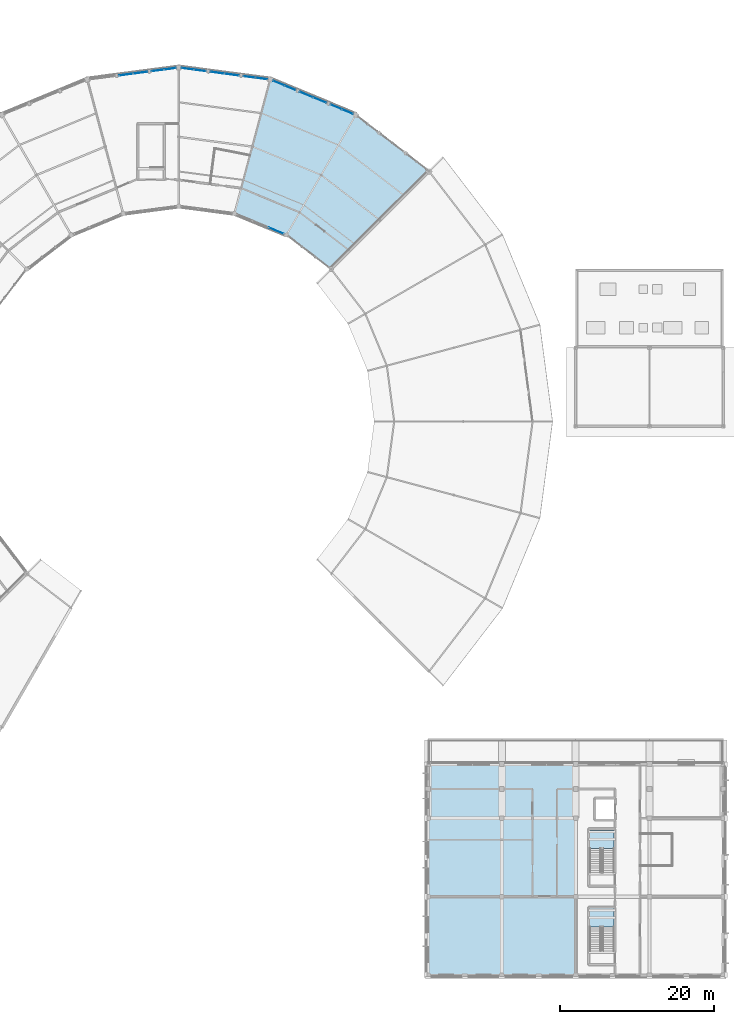
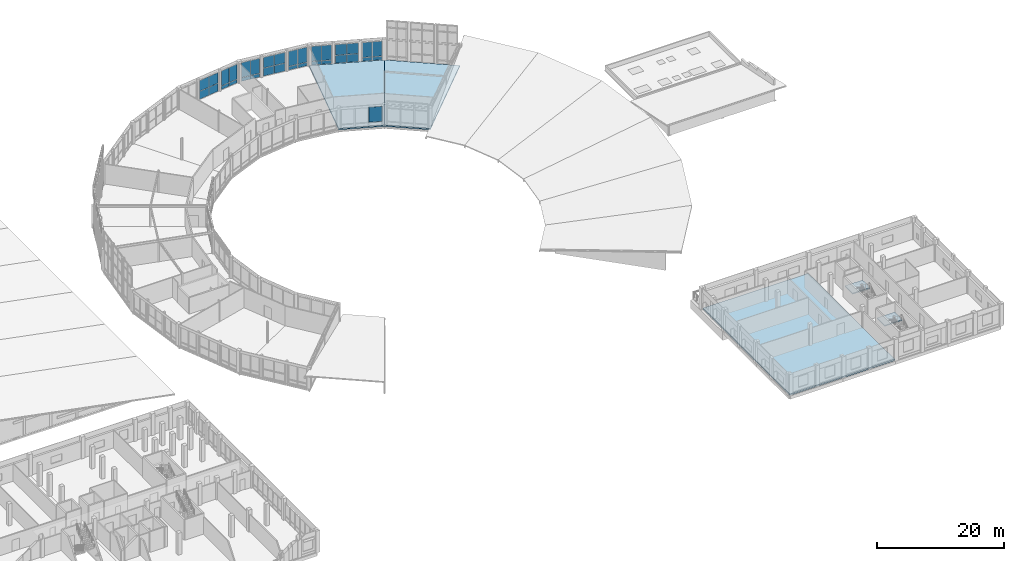
# One storey, part 140 of 200: 33 plates, 5 slabs, 11 elements without a shape of their own.
"""IFC4 building model written with IfcOpenShell, lengths in metres."""

from ifc_helpers import new_model, si_unit, direction, frame, origin, origin_2d, place, context, subcontext, project, spatial, polyline, rectangle, outline, extrude, material, layer, layer_set, type_object, element, aggregate, save


model = new_model("IFC4")

# Units and contexts
model_context = context("Model", 3, precision=1e-05, world=origin(), true_north=direction((0.0, 1.0)))
body_context = subcontext(model_context, "Body", "Model", "MODEL_VIEW")
ifc_project = project(units=[si_unit("LENGTHUNIT", "METRE"), si_unit("AREAUNIT", "SQUARE_METRE"), si_unit("VOLUMEUNIT", "CUBIC_METRE"), si_unit("PLANEANGLEUNIT", "RADIAN"), si_unit("MASSUNIT", "GRAM", prefix="KILO")], contexts=[model_context])

# Site, building, storey
site_placement = place(None, origin())
site = spatial("IfcSite", under=ifc_project, at=site_placement, CompositionType="ELEMENT")
building_placement = place(site_placement, origin())
building = spatial("IfcBuilding", under=site, at=building_placement, Name="Vondelvale Polytechnic", CompositionType="ELEMENT")
storey_placement = place(building_placement, frame((0.0, 0.0, 13.800048828125)))
storey = spatial("IfcBuildingStorey", under=building, at=storey_placement, Name="L03", CompositionType="ELEMENT", Elevation=13.800048828125)

# Curtain wall, plate
ifc_material_1 = material(Name="Anodised extruded aluminium 6063-T6", Category="aluminium")
curtain_wall_type_1 = type_object("IfcCurtainWallType", Name="CW-RING-CLOISTER", PredefinedType="NOTDEFINED", material=ifc_material_1)
curtain_wall_1_placement = place(storey_placement, origin())
curtain_wall_1 = element("IfcCurtainWall", 1, at=curtain_wall_1_placement, inside=storey, type_object=curtain_wall_type_1, Name="L03 architectural curtain wall CW-03-123", PredefinedType="NOTDEFINED")
ifc_material_2 = material(Name="Double-glazed low-E insulated architectural glass", Category="glass")
ifc_layer_1 = layer(ifc_material_2, 0.028076171875)
ifc_layer_set_1 = layer_set([ifc_layer_1], Name="CW-PANEL-GLAZED")
plate_type_1 = type_object("IfcPlateType", Name="CW-PANEL-GLAZED", PredefinedType="CURTAIN_PANEL", material=ifc_layer_set_1)
plate_1_placement = place(storey_placement, frame((114.655029296875, 96.805908203125, 0.7822265625), z_axis=(0.0, 0.0, 1.0), x_axis=(-0.923881562419, 0.382678531697, 0.0)))
plate_1 = element("IfcPlate", 2, at=plate_1_placement, type_object=plate_type_1, Name="CW-03-123 panel 1.2", PredefinedType="CURTAIN_PANEL", context=body_context, shape_type="SweptSolid", body=[
    extrude(rectangle(XDim=2.111572265625, YDim=0.028076171875, at=origin_2d()), origin(), (0.0, 0.0, 1.0), 2.902587890625),
])
aggregate(curtain_wall_1, [plate_1])

# Curtain wall, plates
ifc_material_3 = material(Name="Glulam GL18 structural Tasmanian oak (fb = 42 MPa)", Category="wood")
curtain_wall_type_2 = type_object("IfcCurtainWallType", Name="CW-RING-OUTER", PredefinedType="NOTDEFINED", material=ifc_material_3)
curtain_wall_2_placement = place(storey_placement, origin())
curtain_wall_2 = element("IfcCurtainWall", 3, at=curtain_wall_2_placement, inside=storey, type_object=curtain_wall_type_2, Name="L03 architectural curtain wall CW-04-124", PredefinedType="NOTDEFINED")
plate_2_placement = place(storey_placement, frame((123.92578125, 112.2822265625, 0.780029296875), z_axis=(0.0, 0.0, 1.0), x_axis=(-0.923882033442, 0.382677394529, 0.0)))
plate_2 = element("IfcPlate", 4, at=plate_2_placement, type_object=plate_type_1, Name="CW-04-124 panel 1.2", PredefinedType="CURTAIN_PANEL", context=body_context, shape_type="SweptSolid", body=[
    extrude(rectangle(XDim=1.530029296875, YDim=0.028076171875, at=origin_2d()), origin(), (0.0, 0.0, 1.0), 2.8798828125),
])
plate_3_placement = place(storey_placement, frame((122.4521484375, 112.892578125, 0.780029296875), z_axis=(0.0, 0.0, 1.0), x_axis=(-0.923882033442, 0.382677394529, 0.0)))
plate_3 = element("IfcPlate", 5, at=plate_3_placement, type_object=plate_type_1, Name="CW-04-124 panel 2.2", PredefinedType="CURTAIN_PANEL", context=body_context, shape_type="SweptSolid", body=[
    extrude(rectangle(XDim=1.530029296875, YDim=0.028076171875, at=origin_2d()), origin(), (0.0, 0.0, 1.0), 2.8798828125),
])

curtain_wall_3_placement = place(storey_placement, origin())
curtain_wall_3 = element("IfcCurtainWall", 6, at=curtain_wall_3_placement, inside=storey, type_object=curtain_wall_type_2, Name="L03 architectural curtain wall CW-04-126", PredefinedType="NOTDEFINED")
plate_4_placement = place(storey_placement, frame((116.453369140625, 115.377197265625, 0.780029296875), z_axis=(0.0, 0.0, 1.0), x_axis=(-0.923882033442, 0.382677394529, 0.0)))
plate_4 = element("IfcPlate", 7, at=plate_4_placement, type_object=plate_type_1, Name="CW-04-126 panel 1.2", PredefinedType="CURTAIN_PANEL", context=body_context, shape_type="SweptSolid", body=[
    extrude(rectangle(XDim=1.530029296875, YDim=0.028076171875, at=origin_2d()), origin(), (0.0, 0.0, 1.0), 2.8798828125),
])
plate_5_placement = place(storey_placement, frame((114.97998046875, 115.98779296875, 0.780029296875), z_axis=(0.0, 0.0, 1.0), x_axis=(-0.923882033442, 0.382677394529, 0.0)))
plate_5 = element("IfcPlate", 8, at=plate_5_placement, type_object=plate_type_1, Name="CW-04-126 panel 2.2", PredefinedType="CURTAIN_PANEL", context=body_context, shape_type="SweptSolid", body=[
    extrude(rectangle(XDim=1.530029296875, YDim=0.028076171875, at=origin_2d()), origin(), (0.0, 0.0, 1.0), 2.8798828125),
])

curtain_wall_4_placement = place(storey_placement, origin())
curtain_wall_4 = element("IfcCurtainWall", 9, at=curtain_wall_4_placement, inside=storey, type_object=curtain_wall_type_2, Name="L03 architectural curtain wall CW-04-144", PredefinedType="NOTDEFINED")
plate_6_placement = place(storey_placement, frame((112.7529296875, 116.584228515625, 0.780029296875), z_axis=(0.0, 0.0, 1.0), x_axis=(-0.991443102996, 0.130539547729, 0.0)))
plate_6 = element("IfcPlate", 10, at=plate_6_placement, type_object=plate_type_1, Name="CW-04-144 panel 1.2", PredefinedType="CURTAIN_PANEL", context=body_context, shape_type="SweptSolid", body=[
    extrude(rectangle(XDim=1.530029296875, YDim=0.028076171875, at=origin_2d()), origin(), (0.0, 0.0, 1.0), 2.8798828125),
])
plate_7_placement = place(storey_placement, frame((111.171630859375, 116.79248046875, 0.780029296875), z_axis=(0.0, 0.0, 1.0), x_axis=(-0.991443102996, 0.130539547729, 0.0)))
plate_7 = element("IfcPlate", 11, at=plate_7_placement, type_object=plate_type_1, Name="CW-04-144 panel 2.2", PredefinedType="CURTAIN_PANEL", context=body_context, shape_type="SweptSolid", body=[
    extrude(rectangle(XDim=1.530029296875, YDim=0.028076171875, at=origin_2d()), origin(), (0.0, 0.0, 1.0), 2.8798828125),
])

curtain_wall_5_placement = place(storey_placement, origin())
curtain_wall_5 = element("IfcCurtainWall", 12, at=curtain_wall_5_placement, inside=storey, type_object=curtain_wall_type_2, Name="L03 architectural curtain wall CW-04-145", PredefinedType="NOTDEFINED")
plate_8_placement = place(storey_placement, frame((108.8818359375, 117.093994140625, 1.6298828125), z_axis=(0.0, 0.0, 1.0), x_axis=(-0.991448671082, 0.130497251349, 0.0)))
plate_8 = element("IfcPlate", 13, at=plate_8_placement, type_object=plate_type_1, Name="CW-04-145 panel 1.2", PredefinedType="CURTAIN_PANEL", context=body_context, shape_type="SweptSolid", body=[
    extrude(rectangle(XDim=1.80908203125, YDim=0.028076171875, at=origin_2d()), origin(), (0.0, 0.0, 1.0), 2.030029296875),
])
plate_9_placement = place(storey_placement, frame((107.02392578125, 117.338623046875, 1.6298828125), z_axis=(0.0, 0.0, 1.0), x_axis=(-0.991448671082, 0.130497251349, 0.0)))
plate_9 = element("IfcPlate", 14, at=plate_9_placement, type_object=plate_type_1, Name="CW-04-145 panel 2.2", PredefinedType="CURTAIN_PANEL", context=body_context, shape_type="SweptSolid", body=[
    extrude(rectangle(XDim=1.80908203125, YDim=0.028076171875, at=origin_2d()), origin(), (0.0, 0.0, 1.0), 2.030029296875),
])

curtain_wall_6_placement = place(storey_placement, origin())
curtain_wall_6 = element("IfcCurtainWall", 15, at=curtain_wall_6_placement, inside=storey, type_object=curtain_wall_type_2, Name="L03 architectural curtain wall CW-04-146", PredefinedType="NOTDEFINED")
plate_10_placement = place(storey_placement, frame((104.734130859375, 117.64013671875, 0.780029296875), z_axis=(0.0, 0.0, 1.0), x_axis=(-0.991443102996, 0.130539547729, 0.0)))
plate_10 = element("IfcPlate", 16, at=plate_10_placement, type_object=plate_type_1, Name="CW-04-146 panel 1.2", PredefinedType="CURTAIN_PANEL", context=body_context, shape_type="SweptSolid", body=[
    extrude(rectangle(XDim=1.530029296875, YDim=0.028076171875, at=origin_2d()), origin(), (0.0, 0.0, 1.0), 2.8798828125),
])
plate_11_placement = place(storey_placement, frame((103.15283203125, 117.84814453125, 0.780029296875), z_axis=(0.0, 0.0, 1.0), x_axis=(-0.991443102996, 0.130539547729, 0.0)))
plate_11 = element("IfcPlate", 17, at=plate_11_placement, type_object=plate_type_1, Name="CW-04-146 panel 2.2", PredefinedType="CURTAIN_PANEL", context=body_context, shape_type="SweptSolid", body=[
    extrude(rectangle(XDim=1.530029296875, YDim=0.028076171875, at=origin_2d()), origin(), (0.0, 0.0, 1.0), 2.8798828125),
])

curtain_wall_7_placement = place(storey_placement, origin())
curtain_wall_7 = element("IfcCurtainWall", 18, at=curtain_wall_7_placement, inside=storey, type_object=curtain_wall_type_2, Name="L03 architectural curtain wall CW-04-164", PredefinedType="NOTDEFINED")
plate_12_placement = place(storey_placement, frame((100.84716796875, 117.84814453125, 0.780029296875), z_axis=(0.0, 0.0, 1.0), x_axis=(-0.991443102996, -0.130539547729, 0.0)))
plate_12 = element("IfcPlate", 19, at=plate_12_placement, type_object=plate_type_1, Name="CW-04-164 panel 1.2", PredefinedType="CURTAIN_PANEL", context=body_context, shape_type="SweptSolid", body=[
    extrude(rectangle(XDim=1.530029296875, YDim=0.028076171875, at=origin_2d()), origin(), (0.0, 0.0, 1.0), 2.8798828125),
])
plate_13_placement = place(storey_placement, frame((99.265869140625, 117.64013671875, 0.780029296875), z_axis=(0.0, 0.0, 1.0), x_axis=(-0.991443102996, -0.130539547729, 0.0)))
plate_13 = element("IfcPlate", 20, at=plate_13_placement, type_object=plate_type_1, Name="CW-04-164 panel 2.2", PredefinedType="CURTAIN_PANEL", context=body_context, shape_type="SweptSolid", body=[
    extrude(rectangle(XDim=1.530029296875, YDim=0.028076171875, at=origin_2d()), origin(), (0.0, 0.0, 1.0), 2.8798828125),
])

curtain_wall_8_placement = place(storey_placement, origin())
curtain_wall_8 = element("IfcCurtainWall", 21, at=curtain_wall_8_placement, inside=storey, type_object=curtain_wall_type_2, Name="L03 architectural curtain wall CW-04-125", PredefinedType="NOTDEFINED")
ifc_material_4 = material(Name="Engineered Tasmanian oak studio and bridge joinery")
ifc_layer_2 = layer(ifc_material_4, 0.0419921875)
ifc_layer_set_2 = layer_set([ifc_layer_2], Name="CW-PANEL-OAK")
plate_type_2 = type_object("IfcPlateType", Name="CW-PANEL-OAK", PredefinedType="CURTAIN_PANEL", material=ifc_layer_set_2)
plate_14_placement = place(storey_placement, frame((120.318603515625, 113.7763671875, 0.06005859375), z_axis=(0.0, 0.0, 1.0), x_axis=(-0.92387490701, 0.382694599123, 0.0)))
plate_14 = element("IfcPlate", 22, at=plate_14_placement, type_object=plate_type_2, Name="CW-04-125 panel 1.1", PredefinedType="CURTAIN_PANEL", context=body_context, shape_type="SweptSolid", body=[
    extrude(rectangle(XDim=1.80908203125, YDim=0.0419921875, at=origin_2d()), origin(), (0.0, 0.0, 1.0), 1.510009765625),
])
plate_15_placement = place(storey_placement, frame((120.318603515625, 113.7763671875, 1.6298828125), z_axis=(0.0, 0.0, 1.0), x_axis=(-0.92387490701, 0.382694599123, 0.0)))
plate_15 = element("IfcPlate", 23, at=plate_15_placement, type_object=plate_type_2, Name="CW-04-125 panel 1.2", PredefinedType="CURTAIN_PANEL", context=body_context, shape_type="SweptSolid", body=[
    extrude(rectangle(XDim=1.80908203125, YDim=0.0419921875, at=origin_2d()), origin(), (0.0, 0.0, 1.0), 2.030029296875),
])
plate_16_placement = place(storey_placement, frame((118.587158203125, 114.493408203125, 0.06005859375), z_axis=(0.0, 0.0, 1.0), x_axis=(-0.92387490701, 0.382694599123, 0.0)))
plate_16 = element("IfcPlate", 24, at=plate_16_placement, type_object=plate_type_2, Name="CW-04-125 panel 2.1", PredefinedType="CURTAIN_PANEL", context=body_context, shape_type="SweptSolid", body=[
    extrude(rectangle(XDim=1.80908203125, YDim=0.0419921875, at=origin_2d()), origin(), (0.0, 0.0, 1.0), 1.510009765625),
])
plate_17_placement = place(storey_placement, frame((118.587158203125, 114.493408203125, 1.6298828125), z_axis=(0.0, 0.0, 1.0), x_axis=(-0.92387490701, 0.382694599123, 0.0)))
plate_17 = element("IfcPlate", 25, at=plate_17_placement, type_object=plate_type_2, Name="CW-04-125 panel 2.2", PredefinedType="CURTAIN_PANEL", context=body_context, shape_type="SweptSolid", body=[
    extrude(rectangle(XDim=1.80908203125, YDim=0.0419921875, at=origin_2d()), origin(), (0.0, 0.0, 1.0), 2.030029296875),
])
aggregate(curtain_wall_8, [plate_14, plate_15, plate_16, plate_17])

# Plate
plate_18_placement = place(storey_placement, frame((108.8818359375, 117.093994140625, 0.06005859375), z_axis=(0.0, 0.0, 1.0), x_axis=(-0.991448671082, 0.130497251349, 0.0)))
plate_18 = element("IfcPlate", 26, at=plate_18_placement, type_object=plate_type_2, Name="CW-04-145 panel 1.1", PredefinedType="CURTAIN_PANEL", context=body_context, shape_type="SweptSolid", body=[
    extrude(rectangle(XDim=1.80908203125, YDim=0.0419921875, at=origin_2d()), origin(), (0.0, 0.0, 1.0), 1.510009765625),
])

plate_19_placement = place(storey_placement, frame((107.02392578125, 117.338623046875, 0.06005859375), z_axis=(0.0, 0.0, 1.0), x_axis=(-0.991448671082, 0.130497251349, 0.0)))
plate_19 = element("IfcPlate", 27, at=plate_19_placement, type_object=plate_type_2, Name="CW-04-145 panel 2.1", PredefinedType="CURTAIN_PANEL", context=body_context, shape_type="SweptSolid", body=[
    extrude(rectangle(XDim=1.80908203125, YDim=0.0419921875, at=origin_2d()), origin(), (0.0, 0.0, 1.0), 1.510009765625),
])

aggregate(curtain_wall_5, [plate_18, plate_8, plate_19, plate_9])

# Curtain wall, plates
curtain_wall_9_placement = place(storey_placement, origin())
curtain_wall_9 = element("IfcCurtainWall", 28, at=curtain_wall_9_placement, inside=storey, type_object=curtain_wall_type_2, Name="L03 architectural curtain wall CW-04-165", PredefinedType="NOTDEFINED")
plate_20_placement = place(storey_placement, frame((96.97607421875, 117.338623046875, 0.06005859375), z_axis=(0.0, 0.0, 1.0), x_axis=(-0.991448671082, -0.130497251349, 0.0)))
plate_20 = element("IfcPlate", 29, at=plate_20_placement, type_object=plate_type_2, Name="CW-04-165 panel 1.1", PredefinedType="CURTAIN_PANEL", context=body_context, shape_type="SweptSolid", body=[
    extrude(rectangle(XDim=1.80908203125, YDim=0.0419921875, at=origin_2d()), origin(), (0.0, 0.0, 1.0), 1.510009765625),
])
plate_21_placement = place(storey_placement, frame((96.97607421875, 117.338623046875, 1.6298828125), z_axis=(0.0, 0.0, 1.0), x_axis=(-0.991448671082, -0.130497251349, 0.0)))
plate_21 = element("IfcPlate", 30, at=plate_21_placement, type_object=plate_type_2, Name="CW-04-165 panel 1.2", PredefinedType="CURTAIN_PANEL", context=body_context, shape_type="SweptSolid", body=[
    extrude(rectangle(XDim=1.80908203125, YDim=0.0419921875, at=origin_2d()), origin(), (0.0, 0.0, 1.0), 2.030029296875),
])
plate_22_placement = place(storey_placement, frame((95.1181640625, 117.093994140625, 0.06005859375), z_axis=(0.0, 0.0, 1.0), x_axis=(-0.991448671082, -0.130497251349, 0.0)))
plate_22 = element("IfcPlate", 31, at=plate_22_placement, type_object=plate_type_2, Name="CW-04-165 panel 2.1", PredefinedType="CURTAIN_PANEL", context=body_context, shape_type="SweptSolid", body=[
    extrude(rectangle(XDim=1.80908203125, YDim=0.0419921875, at=origin_2d()), origin(), (0.0, 0.0, 1.0), 1.510009765625),
])
plate_23_placement = place(storey_placement, frame((95.1181640625, 117.093994140625, 1.6298828125), z_axis=(0.0, 0.0, 1.0), x_axis=(-0.991448671082, -0.130497251349, 0.0)))
plate_23 = element("IfcPlate", 32, at=plate_23_placement, type_object=plate_type_2, Name="CW-04-165 panel 2.2", PredefinedType="CURTAIN_PANEL", context=body_context, shape_type="SweptSolid", body=[
    extrude(rectangle(XDim=1.80908203125, YDim=0.0419921875, at=origin_2d()), origin(), (0.0, 0.0, 1.0), 2.030029296875),
])
aggregate(curtain_wall_9, [plate_20, plate_21, plate_22, plate_23])

# Plate
ifc_material_5 = material(Name="Kiln-fired architectural terracotta", Category="masonry")
ifc_layer_3 = layer(ifc_material_5, 0.035888671875)
ifc_layer_set_3 = layer_set([ifc_layer_3], Name="CW-PANEL-SPANDREL")
plate_type_3 = type_object("IfcPlateType", Name="CW-PANEL-SPANDREL", PredefinedType="CURTAIN_PANEL", material=ifc_layer_set_3)
plate_24_placement = place(storey_placement, frame((123.92578125, 112.2822265625, 0.06005859375), z_axis=(0.0, 0.0, 1.0), x_axis=(-0.923882033442, 0.382677394529, 0.0)))
plate_24 = element("IfcPlate", 33, at=plate_24_placement, type_object=plate_type_3, Name="CW-04-124 panel 1.1", PredefinedType="CURTAIN_PANEL", context=body_context, shape_type="SweptSolid", body=[
    extrude(rectangle(XDim=1.530029296875, YDim=0.035888671875, at=origin_2d()), origin(), (0.0, 0.0, 1.0), 0.659912109375),
])

plate_25_placement = place(storey_placement, frame((122.4521484375, 112.892578125, 0.06005859375), z_axis=(0.0, 0.0, 1.0), x_axis=(-0.923882033442, 0.382677394529, 0.0)))
plate_25 = element("IfcPlate", 34, at=plate_25_placement, type_object=plate_type_3, Name="CW-04-124 panel 2.1", PredefinedType="CURTAIN_PANEL", context=body_context, shape_type="SweptSolid", body=[
    extrude(rectangle(XDim=1.530029296875, YDim=0.035888671875, at=origin_2d()), origin(), (0.0, 0.0, 1.0), 0.659912109375),
])

aggregate(curtain_wall_2, [plate_24, plate_2, plate_25, plate_3])

plate_26_placement = place(storey_placement, frame((116.453369140625, 115.377197265625, 0.06005859375), z_axis=(0.0, 0.0, 1.0), x_axis=(-0.923882033442, 0.382677394529, 0.0)))
plate_26 = element("IfcPlate", 35, at=plate_26_placement, type_object=plate_type_3, Name="CW-04-126 panel 1.1", PredefinedType="CURTAIN_PANEL", context=body_context, shape_type="SweptSolid", body=[
    extrude(rectangle(XDim=1.530029296875, YDim=0.035888671875, at=origin_2d()), origin(), (0.0, 0.0, 1.0), 0.659912109375),
])

plate_27_placement = place(storey_placement, frame((114.97998046875, 115.98779296875, 0.06005859375), z_axis=(0.0, 0.0, 1.0), x_axis=(-0.923882033442, 0.382677394529, 0.0)))
plate_27 = element("IfcPlate", 36, at=plate_27_placement, type_object=plate_type_3, Name="CW-04-126 panel 2.1", PredefinedType="CURTAIN_PANEL", context=body_context, shape_type="SweptSolid", body=[
    extrude(rectangle(XDim=1.530029296875, YDim=0.035888671875, at=origin_2d()), origin(), (0.0, 0.0, 1.0), 0.659912109375),
])

aggregate(curtain_wall_3, [plate_26, plate_4, plate_27, plate_5])

plate_28_placement = place(storey_placement, frame((112.7529296875, 116.584228515625, 0.06005859375), z_axis=(0.0, 0.0, 1.0), x_axis=(-0.991443102996, 0.130539547729, 0.0)))
plate_28 = element("IfcPlate", 37, at=plate_28_placement, type_object=plate_type_3, Name="CW-04-144 panel 1.1", PredefinedType="CURTAIN_PANEL", context=body_context, shape_type="SweptSolid", body=[
    extrude(rectangle(XDim=1.530029296875, YDim=0.035888671875, at=origin_2d()), origin(), (0.0, 0.0, 1.0), 0.659912109375),
])

plate_29_placement = place(storey_placement, frame((111.171630859375, 116.79248046875, 0.06005859375), z_axis=(0.0, 0.0, 1.0), x_axis=(-0.991443102996, 0.130539547729, 0.0)))
plate_29 = element("IfcPlate", 38, at=plate_29_placement, type_object=plate_type_3, Name="CW-04-144 panel 2.1", PredefinedType="CURTAIN_PANEL", context=body_context, shape_type="SweptSolid", body=[
    extrude(rectangle(XDim=1.530029296875, YDim=0.035888671875, at=origin_2d()), origin(), (0.0, 0.0, 1.0), 0.659912109375),
])

aggregate(curtain_wall_4, [plate_28, plate_6, plate_29, plate_7])

plate_30_placement = place(storey_placement, frame((104.734130859375, 117.64013671875, 0.06005859375), z_axis=(0.0, 0.0, 1.0), x_axis=(-0.991443102996, 0.130539547729, 0.0)))
plate_30 = element("IfcPlate", 39, at=plate_30_placement, type_object=plate_type_3, Name="CW-04-146 panel 1.1", PredefinedType="CURTAIN_PANEL", context=body_context, shape_type="SweptSolid", body=[
    extrude(rectangle(XDim=1.530029296875, YDim=0.035888671875, at=origin_2d()), origin(), (0.0, 0.0, 1.0), 0.659912109375),
])

plate_31_placement = place(storey_placement, frame((103.15283203125, 117.84814453125, 0.06005859375), z_axis=(0.0, 0.0, 1.0), x_axis=(-0.991443102996, 0.130539547729, 0.0)))
plate_31 = element("IfcPlate", 40, at=plate_31_placement, type_object=plate_type_3, Name="CW-04-146 panel 2.1", PredefinedType="CURTAIN_PANEL", context=body_context, shape_type="SweptSolid", body=[
    extrude(rectangle(XDim=1.530029296875, YDim=0.035888671875, at=origin_2d()), origin(), (0.0, 0.0, 1.0), 0.659912109375),
])

aggregate(curtain_wall_6, [plate_30, plate_10, plate_31, plate_11])

plate_32_placement = place(storey_placement, frame((100.84716796875, 117.84814453125, 0.06005859375), z_axis=(0.0, 0.0, 1.0), x_axis=(-0.991443102996, -0.130539547729, 0.0)))
plate_32 = element("IfcPlate", 41, at=plate_32_placement, type_object=plate_type_3, Name="CW-04-164 panel 1.1", PredefinedType="CURTAIN_PANEL", context=body_context, shape_type="SweptSolid", body=[
    extrude(rectangle(XDim=1.530029296875, YDim=0.035888671875, at=origin_2d()), origin(), (0.0, 0.0, 1.0), 0.659912109375),
])

plate_33_placement = place(storey_placement, frame((99.265869140625, 117.64013671875, 0.06005859375), z_axis=(0.0, 0.0, 1.0), x_axis=(-0.991443102996, -0.130539547729, 0.0)))
plate_33 = element("IfcPlate", 42, at=plate_33_placement, type_object=plate_type_3, Name="CW-04-164 panel 2.1", PredefinedType="CURTAIN_PANEL", context=body_context, shape_type="SweptSolid", body=[
    extrude(rectangle(XDim=1.530029296875, YDim=0.035888671875, at=origin_2d()), origin(), (0.0, 0.0, 1.0), 0.659912109375),
])

aggregate(curtain_wall_7, [plate_32, plate_12, plate_33, plate_13])

# Slabs
ifc_material_6 = material(Name="Concrete N40 (f'c = 40 MPa)", Category="concrete")
ifc_layer_4 = layer(ifc_material_6, 0.25)
ifc_layer_set_4 = layer_set([ifc_layer_4], Name="SLB-LAB-250")
slab_type_1 = type_object("IfcSlabType", Name="SLB-LAB-250", PredefinedType="FLOOR", material=ifc_layer_set_4)
slab_1_placement = place(storey_placement, frame((0.0, 0.0, -0.25)))
element("IfcSlab", 43, at=slab_1_placement, inside=storey, type_object=slab_type_1, Name="L03 lecture wing slab W", PredefinedType="FLOOR", context=body_context, shape_type="SweptSolid", body=[
    extrude(outline(polyline([(134.39990234375, 0.0), (153.60009765625, 0.0), (153.60009765625, 27.39990234375), (134.39990234375, 27.39990234375), (134.39990234375, 0.0)])), origin(), (0.0, 0.0, 1.0), 0.25),
])
slab_2_placement = place(storey_placement, frame((0.0, 0.0, -0.25)))
element("IfcSlab", 44, at=slab_2_placement, inside=storey, type_object=slab_type_1, Name="L03 circular ring sector 03 floor slab", PredefinedType="FLOOR", context=body_context, shape_type="SweptSolid", body=[
    extrude(outline(polyline([(121.799072265625, 91.799072265625), (134.52685546875, 104.52685546875), (125.0, 111.837158203125), (116.0, 96.248779296875), (121.799072265625, 91.799072265625)])), origin(), (0.0, 0.0, 1.0), 0.25),
])
slab_3_placement = place(storey_placement, frame((0.0, 0.0, -0.25)))
element("IfcSlab", 45, at=slab_3_placement, inside=storey, type_object=slab_type_1, Name="L03 circular ring sector 04 floor slab", PredefinedType="FLOOR", context=body_context, shape_type="SweptSolid", body=[
    extrude(outline(polyline([(116.0, 96.248779296875), (125.0, 111.837158203125), (113.90576171875, 116.4326171875), (109.246826171875, 99.0458984375), (116.0, 96.248779296875)])), origin(), (0.0, 0.0, 1.0), 0.25),
])

# Stair, slab
stair_type = type_object("IfcStairType", Name="STR-DOG-1500", PredefinedType="HALF_TURN_STAIR", material=ifc_material_6)
stair_1_placement = place(storey_placement, origin())
stair_1 = element("IfcStair", 46, at=stair_1_placement, inside=storey, type_object=stair_type, Name="L03 ST-06", PredefinedType="HALF_TURN_STAIR")
ifc_layer_5 = layer(ifc_material_6, 0.199951171875)
ifc_layer_set_5 = layer_set([ifc_layer_5], Name="SLB-LANDING-200")
slab_type_2 = type_object("IfcSlabType", Name="SLB-LANDING-200", PredefinedType="LANDING", material=ifc_layer_set_5)
slab_4_placement = place(storey_placement, frame((0.0, 0.0, 1.89990234375)))
slab_4 = element("IfcSlab", 47, at=slab_4_placement, type_object=slab_type_2, Name="ST-06 landing 1", PredefinedType="LANDING", context=body_context, shape_type="SweptSolid", body=[
    extrude(outline(polyline([(158.60009765625, 6.284912109375), (158.60009765625, 8.699951171875), (155.39990234375, 8.699951171875), (155.39990234375, 6.284912109375), (158.60009765625, 6.284912109375)])), origin(), (0.0, 0.0, 1.0), 0.199951171875),
])
aggregate(stair_1, [slab_4])

stair_2_placement = place(storey_placement, origin())
stair_2 = element("IfcStair", 48, at=stair_2_placement, inside=storey, type_object=stair_type, Name="L03 ST-07", PredefinedType="HALF_TURN_STAIR")
slab_5_placement = place(storey_placement, frame((0.0, 0.0, 1.89990234375)))
slab_5 = element("IfcSlab", 49, at=slab_5_placement, type_object=slab_type_2, Name="ST-07 landing 1", PredefinedType="LANDING", context=body_context, shape_type="SweptSolid", body=[
    extrude(outline(polyline([(158.60009765625, 16.485107421875), (158.60009765625, 18.89990234375), (155.39990234375, 18.89990234375), (155.39990234375, 16.485107421875), (158.60009765625, 16.485107421875)])), origin(), (0.0, 0.0, 1.0), 0.199951171875),
])
aggregate(stair_2, [slab_5])

save(model, "model.ifc")
